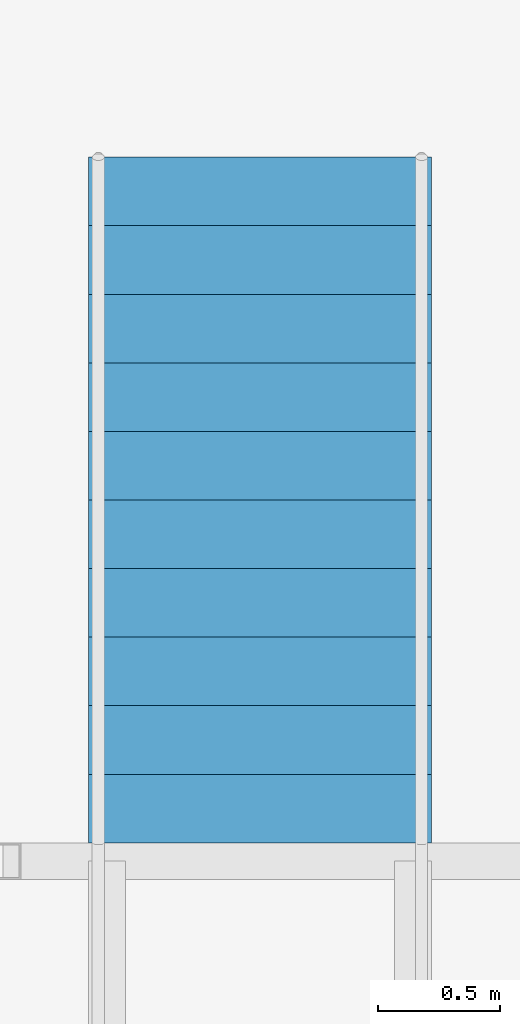
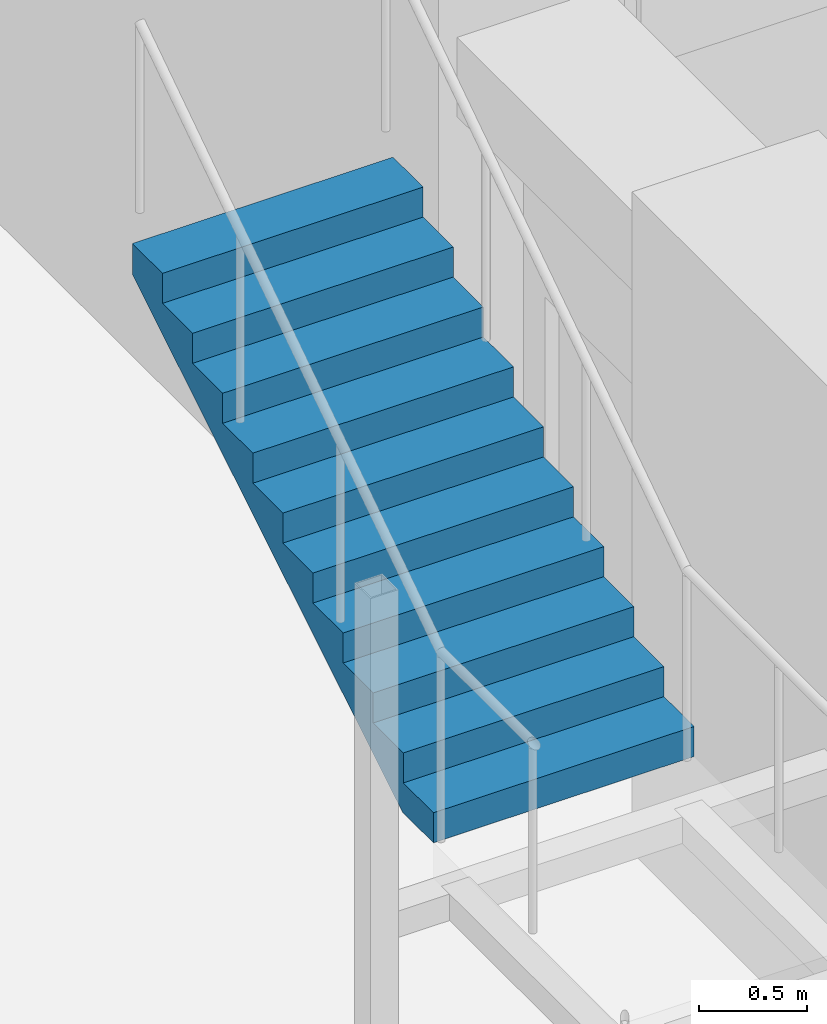
# One storey, part 27 of 28: 1 stair flight, 1 element without a shape of its own.
"""IFC4 building model written with IfcOpenShell, lengths in metres."""

from ifc_helpers import new_model, si_unit, direction, frame, origin, place, context, subcontext, project, spatial, triangles, material, type_object, element, aggregate, save


model = new_model("IFC4")

# Units and contexts
model_context = context("Model", 3, precision=1e-05, world=origin(), true_north=direction((0.0, 1.0)))
body_context = subcontext(model_context, "Body", "Model", "MODEL_VIEW")
ifc_project = project(units=[si_unit("LENGTHUNIT", "METRE"), si_unit("AREAUNIT", "SQUARE_METRE"), si_unit("VOLUMEUNIT", "CUBIC_METRE"), si_unit("PLANEANGLEUNIT", "RADIAN"), si_unit("MASSUNIT", "GRAM", prefix="KILO")], contexts=[model_context])

# Site, building, storey
site_placement = place(None, origin())
site = spatial("IfcSite", under=ifc_project, at=site_placement, CompositionType="ELEMENT")
building_placement = place(site_placement, origin())
building = spatial("IfcBuilding", under=site, at=building_placement, Name="Orbita Commons", CompositionType="ELEMENT")
storey_placement = place(building_placement, frame((0.0, 0.0, 38.949951171875)))
storey = spatial("IfcBuildingStorey", under=building, at=storey_placement, Name="L09", CompositionType="ELEMENT", Elevation=38.949951171875)

# Stair, stair flight
ifc_material_1 = material(Name="Steel ASTM A992 stringers, precast concrete C40/50 terrazzo treads", Category="concrete")
stair_type = type_object("IfcStairType", Name="Feature stair 22 risers 170 x 280 x 1400", PredefinedType="STRAIGHT_RUN_STAIR", material=ifc_material_1)
stair_placement = place(storey_placement, origin())
stair = element("IfcStair", 1, at=stair_placement, inside=storey, type_object=stair_type, Name="Neighbourhood stair L09 to L10", PredefinedType="STRAIGHT_RUN_STAIR")
ifc_material_2 = material(Name="Steel ASTM A992 stringers, precast concrete C40/50 terrazzo treads", Category="concrete")
stair_flight_type = type_object("IfcStairFlightType", Name="Feature stair flight 11 risers 170 x 1400", PredefinedType="STRAIGHT", material=ifc_material_2)
stair_flight_placement = place(storey_placement, frame((10.10009765625, 47.409912109375, 1.875), z_axis=(0.0, 0.0, 1.0), x_axis=(0.0, 1.0, 0.0)))
stair_flight = element("IfcStairFlight", 2, at=stair_flight_placement, type_object=stair_flight_type, Name="FS flight 2", NumberOfRisers=11, NumberOfTreads=10, PredefinedType="STRAIGHT", RiserHeight=0.170454545, TreadLength=0.28, context=body_context, shape_type="Tessellation", body=[
    triangles([(0.0, 0.699951, 0.0), (0.0, 0.699951, 0.021307), (0.0, 0.583293, 0.021307), (0.0, 0.583293, 0.0), (0.0, 0.466634, 0.021307), (0.0, 0.466634, 0.0), (0.0, 0.349976, 0.021307), (0.0, 0.349976, 0.0), (0.0, 0.233317, 0.021307), (0.0, 0.233317, 0.0), (0.0, 0.116659, 0.021307), (0.0, 0.116659, 0.0), (0.0, 0.0, 0.021307), (0.0, 0.0, 0.0), (0.0, -0.116659, 0.021307), (0.0, -0.116659, 0.0), (0.0, -0.233317, 0.021307), (0.0, -0.233317, 0.0), (0.0, -0.349976, 0.021307), (0.0, -0.349976, 0.0), (0.0, -0.466634, 0.021307), (0.0, -0.466634, 0.0), (0.0, -0.583293, 0.021307), (0.0, -0.583293, 0.0), (0.0, -0.699951, 0.021307), (0.0, -0.699951, 0.0), (0.0, 0.699951, 0.042614), (0.0, 0.583293, 0.042614), (0.0, 0.466634, 0.042614), (0.0, 0.349976, 0.042614), (0.0, 0.233317, 0.042614), (0.0, 0.116659, 0.042614), (0.0, 0.0, 0.042614), (0.0, -0.116659, 0.042614), (0.0, -0.233317, 0.042614), (0.0, -0.349976, 0.042614), (0.0, -0.466634, 0.042614), (0.0, -0.583293, 0.042614), (0.0, -0.699951, 0.042614), (0.0, 0.699951, 0.06392), (0.0, 0.583293, 0.06392), (0.0, 0.466634, 0.06392), (0.0, 0.349976, 0.06392), (0.0, 0.233317, 0.06392), (0.0, 0.116659, 0.06392), (0.0, 0.0, 0.06392), (0.0, -0.116659, 0.06392), (0.0, -0.233317, 0.06392), (0.0, -0.349976, 0.06392), (0.0, -0.466634, 0.06392), (0.0, -0.583293, 0.06392), (0.0, -0.699951, 0.06392), (0.0, 0.699951, 0.085227), (0.0, 0.583293, 0.085227), (0.0, 0.466634, 0.085227), (0.0, 0.349976, 0.085227), (0.0, 0.233317, 0.085227), (0.0, 0.116659, 0.085227), (0.0, 0.0, 0.085227), (0.0, -0.116659, 0.085227), (0.0, -0.233317, 0.085227), (0.0, -0.349976, 0.085227), (0.0, -0.466634, 0.085227), (0.0, -0.583293, 0.085227), (0.0, -0.699951, 0.085227), (0.0, 0.699951, 0.106534), (0.0, 0.583293, 0.106534), (0.0, 0.466634, 0.106534), (0.0, 0.349976, 0.106534), (0.0, 0.233317, 0.106534), (0.0, 0.116659, 0.106534), (0.0, 0.0, 0.106534), (0.0, -0.116659, 0.106534), (0.0, -0.233317, 0.106534), (0.0, -0.349976, 0.106534), (0.0, -0.466634, 0.106534), (0.0, -0.583293, 0.106534), (0.0, -0.699951, 0.106534), (0.0, 0.699951, 0.127841), (0.0, 0.583293, 0.127841), (0.0, 0.466634, 0.127841), (0.0, 0.349976, 0.127841), (0.0, 0.233317, 0.127841), (0.0, 0.116659, 0.127841), (0.0, 0.0, 0.127841), (0.0, -0.116659, 0.127841), (0.0, -0.233317, 0.127841), (0.0, -0.349976, 0.127841), (0.0, -0.466634, 0.127841), (0.0, -0.583293, 0.127841), (0.0, -0.699951, 0.127841), (0.0, 0.699951, 0.149148), (0.0, 0.583293, 0.149148), (0.0, 0.466634, 0.149148), (0.0, 0.349976, 0.149148), (0.0, 0.233317, 0.149148), (0.0, 0.116659, 0.149148), (0.0, 0.0, 0.149148), (0.0, -0.116659, 0.149148), (0.0, -0.233317, 0.149148), (0.0, -0.349976, 0.149148), (0.0, -0.466634, 0.149148), (0.0, -0.583293, 0.149148), (0.0, -0.699951, 0.149148), (0.0, 0.699951, 0.170455), (0.0, 0.583293, 0.170455), (0.0, 0.466634, 0.170455), (0.0, 0.349976, 0.170455), (0.0, 0.233317, 0.170455), (0.0, 0.116659, 0.170455), (0.0, 0.0, 0.170455), (0.0, -0.116659, 0.170455), (0.0, -0.233317, 0.170455), (0.0, -0.349976, 0.170455), (0.0, -0.466634, 0.170455), (0.0, -0.583293, 0.170455), (0.0, -0.699951, 0.170455), (0.28, 0.699951, 0.170455), (0.28, 0.583293, 0.170455), (0.28, 0.466634, 0.170455), (0.28, 0.349976, 0.170455), (0.28, 0.233317, 0.170455), (0.28, 0.116659, 0.170455), (0.28, 0.0, 0.170455), (0.28, -0.116659, 0.170455), (0.28, -0.233317, 0.170455), (0.28, -0.349976, 0.170455), (0.28, -0.466634, 0.170455), (0.28, -0.583293, 0.170455), (0.28, -0.699951, 0.170455), (0.28, 0.699951, 0.340909), (0.28, 0.583293, 0.340909), (0.28, 0.466634, 0.340909), (0.28, 0.349976, 0.340909), (0.28, 0.233317, 0.340909), (0.28, 0.116659, 0.340909), (0.28, 0.0, 0.340909), (0.28, -0.116659, 0.340909), (0.28, -0.233317, 0.340909), (0.28, -0.349976, 0.340909), (0.28, -0.466634, 0.340909), (0.28, -0.583293, 0.340909), (0.28, -0.699951, 0.340909), (0.56, 0.699951, 0.340909), (0.56, 0.583293, 0.340909), (0.56, 0.466634, 0.340909), (0.56, 0.349976, 0.340909), (0.56, 0.233317, 0.340909), (0.56, 0.116659, 0.340909), (0.56, 0.0, 0.340909), (0.56, -0.116659, 0.340909), (0.56, -0.233317, 0.340909), (0.56, -0.349976, 0.340909), (0.56, -0.466634, 0.340909), (0.56, -0.583293, 0.340909), (0.56, -0.699951, 0.340909), (0.56, 0.699951, 0.511364), (0.56, 0.583293, 0.511364), (0.56, 0.466634, 0.511364), (0.56, 0.349976, 0.511364), (0.56, 0.233317, 0.511364), (0.56, 0.116659, 0.511364), (0.56, 0.0, 0.511364), (0.56, -0.116659, 0.511364), (0.56, -0.233317, 0.511364), (0.56, -0.349976, 0.511364), (0.56, -0.466634, 0.511364), (0.56, -0.583293, 0.511364), (0.56, -0.699951, 0.511364), (0.84, 0.699951, 0.511364), (0.84, 0.583293, 0.511364), (0.84, 0.466634, 0.511364), (0.84, 0.349976, 0.511364), (0.84, 0.233317, 0.511364), (0.84, 0.116659, 0.511364), (0.84, 0.0, 0.511364), (0.84, -0.116659, 0.511364), (0.84, -0.233317, 0.511364), (0.84, -0.349976, 0.511364), (0.84, -0.466634, 0.511364), (0.84, -0.583293, 0.511364), (0.84, -0.699951, 0.511364), (0.84, 0.699951, 0.681818), (0.84, 0.583293, 0.681818), (0.84, 0.466634, 0.681818), (0.84, 0.349976, 0.681818), (0.84, 0.233317, 0.681818), (0.84, 0.116659, 0.681818), (0.84, 0.0, 0.681818), (0.84, -0.116659, 0.681818), (0.84, -0.233317, 0.681818), (0.84, -0.349976, 0.681818), (0.84, -0.466634, 0.681818), (0.84, -0.583293, 0.681818), (0.84, -0.699951, 0.681818), (1.12, 0.699951, 0.681818), (1.12, 0.583293, 0.681818), (1.12, 0.466634, 0.681818), (1.12, 0.349976, 0.681818), (1.12, 0.233317, 0.681818), (1.12, 0.116659, 0.681818), (1.12, 0.0, 0.681818), (1.12, -0.116659, 0.681818), (1.12, -0.233317, 0.681818), (1.12, -0.349976, 0.681818), (1.12, -0.466634, 0.681818), (1.12, -0.583293, 0.681818), (1.12, -0.699951, 0.681818), (1.12, 0.699951, 0.852273), (1.12, 0.583293, 0.852273), (1.12, 0.466634, 0.852273), (1.12, 0.349976, 0.852273), (1.12, 0.233317, 0.852273), (1.12, 0.116659, 0.852273), (1.12, 0.0, 0.852273), (1.12, -0.116659, 0.852273), (1.12, -0.233317, 0.852273), (1.12, -0.349976, 0.852273), (1.12, -0.466634, 0.852273), (1.12, -0.583293, 0.852273), (1.12, -0.699951, 0.852273), (1.4, 0.699951, 0.852273), (1.4, 0.583293, 0.852273), (1.4, 0.466634, 0.852273), (1.4, 0.349976, 0.852273), (1.4, 0.233317, 0.852273), (1.4, 0.116659, 0.852273), (1.4, 0.0, 0.852273), (1.4, -0.116659, 0.852273), (1.4, -0.233317, 0.852273), (1.4, -0.349976, 0.852273), (1.4, -0.466634, 0.852273), (1.4, -0.583293, 0.852273), (1.4, -0.699951, 0.852273), (1.4, 0.699951, 1.022727), (1.4, 0.583293, 1.022727), (1.4, 0.466634, 1.022727), (1.4, 0.349976, 1.022727), (1.4, 0.233317, 1.022727), (1.4, 0.116659, 1.022727), (1.4, 0.0, 1.022727), (1.4, -0.116659, 1.022727), (1.4, -0.233317, 1.022727), (1.4, -0.349976, 1.022727), (1.4, -0.466634, 1.022727), (1.4, -0.583293, 1.022727), (1.4, -0.699951, 1.022727), (1.68, 0.699951, 1.022727), (1.68, 0.583293, 1.022727), (1.68, 0.466634, 1.022727), (1.68, 0.349976, 1.022727), (1.68, 0.233317, 1.022727), (1.68, 0.116659, 1.022727), (1.68, 0.0, 1.022727), (1.68, -0.116659, 1.022727), (1.68, -0.233317, 1.022727), (1.68, -0.349976, 1.022727), (1.68, -0.466634, 1.022727), (1.68, -0.583293, 1.022727), (1.68, -0.699951, 1.022727), (1.68, 0.699951, 1.193182), (1.68, 0.583293, 1.193182), (1.68, 0.466634, 1.193182), (1.68, 0.349976, 1.193182), (1.68, 0.233317, 1.193182), (1.68, 0.116659, 1.193182), (1.68, 0.0, 1.193182), (1.68, -0.116659, 1.193182), (1.68, -0.233317, 1.193182), (1.68, -0.349976, 1.193182), (1.68, -0.466634, 1.193182), (1.68, -0.583293, 1.193182), (1.68, -0.699951, 1.193182), (1.96, 0.699951, 1.193182), (1.96, 0.583293, 1.193182), (1.96, 0.466634, 1.193182), (1.96, 0.349976, 1.193182), (1.96, 0.233317, 1.193182), (1.96, 0.116659, 1.193182), (1.96, 0.0, 1.193182), (1.96, -0.116659, 1.193182), (1.96, -0.233317, 1.193182), (1.96, -0.349976, 1.193182), (1.96, -0.466634, 1.193182), (1.96, -0.583293, 1.193182), (1.96, -0.699951, 1.193182), (1.96, 0.699951, 1.363636), (1.96, 0.583293, 1.363636), (1.96, 0.466634, 1.363636), (1.96, 0.349976, 1.363636), (1.96, 0.233317, 1.363636), (1.96, 0.116659, 1.363636), (1.96, 0.0, 1.363636), (1.96, -0.116659, 1.363636), (1.96, -0.233317, 1.363636), (1.96, -0.349976, 1.363636), (1.96, -0.466634, 1.363636), (1.96, -0.583293, 1.363636), (1.96, -0.699951, 1.363636), (2.24, 0.699951, 1.363636), (2.24, 0.583293, 1.363636), (2.24, 0.466634, 1.363636), (2.24, 0.349976, 1.363636), (2.24, 0.233317, 1.363636), (2.24, 0.116659, 1.363636), (2.24, 0.0, 1.363636), (2.24, -0.116659, 1.363636), (2.24, -0.233317, 1.363636), (2.24, -0.349976, 1.363636), (2.24, -0.466634, 1.363636), (2.24, -0.583293, 1.363636), (2.24, -0.699951, 1.363636), (2.24, 0.699951, 1.534091), (2.24, 0.583293, 1.534091), (2.24, 0.466634, 1.534091), (2.24, 0.349976, 1.534091), (2.24, 0.233317, 1.534091), (2.24, 0.116659, 1.534091), (2.24, 0.0, 1.534091), (2.24, -0.116659, 1.534091), (2.24, -0.233317, 1.534091), (2.24, -0.349976, 1.534091), (2.24, -0.466634, 1.534091), (2.24, -0.583293, 1.534091), (2.24, -0.699951, 1.534091), (2.52, 0.699951, 1.534091), (2.52, 0.583293, 1.534091), (2.52, 0.466634, 1.534091), (2.52, 0.349976, 1.534091), (2.52, 0.233317, 1.534091), (2.52, 0.116659, 1.534091), (2.52, 0.0, 1.534091), (2.52, -0.116659, 1.534091), (2.52, -0.233317, 1.534091), (2.52, -0.349976, 1.534091), (2.52, -0.466634, 1.534091), (2.52, -0.583293, 1.534091), (2.52, -0.699951, 1.534091), (2.52, 0.699951, 1.704545), (2.52, 0.583293, 1.704545), (2.52, 0.466634, 1.704545), (2.52, 0.349976, 1.704545), (2.52, 0.233317, 1.704545), (2.52, 0.116659, 1.704545), (2.52, 0.0, 1.704545), (2.52, -0.116659, 1.704545), (2.52, -0.233317, 1.704545), (2.52, -0.349976, 1.704545), (2.52, -0.466634, 1.704545), (2.52, -0.583293, 1.704545), (2.52, -0.699951, 1.704545), (2.8, 0.699951, 1.704545), (2.8, 0.583293, 1.704545), (2.8, 0.466634, 1.704545), (2.8, 0.349976, 1.704545), (2.8, 0.233317, 1.704545), (2.8, 0.116659, 1.704545), (2.8, 0.0, 1.704545), (2.8, -0.116659, 1.704545), (2.8, -0.233317, 1.704545), (2.8, -0.349976, 1.704545), (2.8, -0.466634, 1.704545), (2.8, -0.583293, 1.704545), (2.8, -0.699951, 1.704545), (2.8, 0.699951, 1.682609), (2.8, 0.583293, 1.682609), (2.8, 0.466634, 1.682609), (2.8, 0.349976, 1.682609), (2.8, 0.233317, 1.682609), (2.8, 0.116659, 1.682609), (2.8, 0.0, 1.682609), (2.8, -0.116659, 1.682609), (2.8, -0.233317, 1.682609), (2.8, -0.349976, 1.682609), (2.8, -0.466634, 1.682609), (2.8, -0.583293, 1.682609), (2.8, -0.699951, 1.682609), (2.8, 0.699951, 1.660672), (2.8, 0.583293, 1.660672), (2.8, 0.466634, 1.660672), (2.8, 0.349976, 1.660672), (2.8, 0.233317, 1.660672), (2.8, 0.116659, 1.660672), (2.8, 0.0, 1.660672), (2.8, -0.116659, 1.660672), (2.8, -0.233317, 1.660672), (2.8, -0.349976, 1.660672), (2.8, -0.466634, 1.660672), (2.8, -0.583293, 1.660672), (2.8, -0.699951, 1.660672), (2.8, 0.699951, 1.638735), (2.8, 0.583293, 1.638735), (2.8, 0.466634, 1.638735), (2.8, 0.349976, 1.638735), (2.8, 0.233317, 1.638735), (2.8, 0.116659, 1.638735), (2.8, 0.0, 1.638735), (2.8, -0.116659, 1.638735), (2.8, -0.233317, 1.638735), (2.8, -0.349976, 1.638735), (2.8, -0.466634, 1.638735), (2.8, -0.583293, 1.638735), (2.8, -0.699951, 1.638735), (2.8, 0.699951, 1.616798), (2.8, 0.583293, 1.616798), (2.8, 0.466634, 1.616798), (2.8, 0.349976, 1.616798), (2.8, 0.233317, 1.616798), (2.8, 0.116659, 1.616798), (2.8, 0.0, 1.616798), (2.8, -0.116659, 1.616798), (2.8, -0.233317, 1.616798), (2.8, -0.349976, 1.616798), (2.8, -0.466634, 1.616798), (2.8, -0.583293, 1.616798), (2.8, -0.699951, 1.616798), (2.8, 0.699951, 1.594861), (2.8, 0.583293, 1.594861), (2.8, 0.466634, 1.594861), (2.8, 0.349976, 1.594861), (2.8, 0.233317, 1.594861), (2.8, 0.116659, 1.594861), (2.8, 0.0, 1.594861), (2.8, -0.116659, 1.594861), (2.8, -0.233317, 1.594861), (2.8, -0.349976, 1.594861), (2.8, -0.466634, 1.594861), (2.8, -0.583293, 1.594861), (2.8, -0.699951, 1.594861), (2.8, 0.699951, 1.572925), (2.8, 0.583293, 1.572925), (2.8, 0.466634, 1.572925), (2.8, 0.349976, 1.572925), (2.8, 0.233317, 1.572925), (2.8, 0.116659, 1.572925), (2.8, 0.0, 1.572925), (2.8, -0.116659, 1.572925), (2.8, -0.233317, 1.572925), (2.8, -0.349976, 1.572925), (2.8, -0.466634, 1.572925), (2.8, -0.583293, 1.572925), (2.8, -0.699951, 1.572925), (2.8, 0.699951, 1.550988), (2.8, 0.583293, 1.550988), (2.8, 0.466634, 1.550988), (2.8, 0.349976, 1.550988), (2.8, 0.233317, 1.550988), (2.8, 0.116659, 1.550988), (2.8, 0.0, 1.550988), (2.8, -0.116659, 1.550988), (2.8, -0.233317, 1.550988), (2.8, -0.349976, 1.550988), (2.8, -0.466634, 1.550988), (2.8, -0.583293, 1.550988), (2.8, -0.699951, 1.550988), (2.8, 0.699951, 1.529051), (2.8, 0.583293, 1.529051), (2.8, 0.466634, 1.529051), (2.8, 0.349976, 1.529051), (2.8, 0.233317, 1.529051), (2.8, 0.116659, 1.529051), (2.8, 0.0, 1.529051), (2.8, -0.116659, 1.529051), (2.8, -0.233317, 1.529051), (2.8, -0.349976, 1.529051), (2.8, -0.466634, 1.529051), (2.8, -0.583293, 1.529051), (2.8, -0.699951, 1.529051), (0.288279, 0.699951, 0.0), (0.288279, 0.583293, 0.0), (0.288279, 0.466634, 0.0), (0.288279, 0.349976, 0.0), (0.288279, 0.233317, 0.0), (0.288279, 0.116659, 0.0), (0.288279, 0.0, 0.0), (0.288279, -0.116659, 0.0), (0.288279, -0.233317, 0.0), (0.288279, -0.349976, 0.0), (0.288279, -0.466634, 0.0), (0.288279, -0.583293, 0.0), (0.288279, -0.699951, 0.0)], [[3, 2, 1], [4, 3, 1], [5, 3, 4], [6, 5, 4], [7, 5, 6], [8, 7, 6], [9, 7, 8], [10, 9, 8], [11, 9, 10], [12, 11, 10], [13, 11, 12], [14, 13, 12], [15, 13, 14], [16, 15, 14], [17, 15, 16], [18, 17, 16], [19, 17, 18], [20, 19, 18], [21, 19, 20], [22, 21, 20], [23, 21, 22], [24, 23, 22], [25, 23, 24], [26, 25, 24], [28, 27, 2], [3, 28, 2], [29, 28, 3], [5, 29, 3], [30, 29, 5], [7, 30, 5], [31, 30, 7], [9, 31, 7], [32, 31, 9], [11, 32, 9], [33, 32, 11], [13, 33, 11], [34, 33, 13], [15, 34, 13], [35, 34, 15], [17, 35, 15], [36, 35, 17], [19, 36, 17], [37, 36, 19], [21, 37, 19], [38, 37, 21], [23, 38, 21], [39, 38, 23], [25, 39, 23], [41, 40, 27], [28, 41, 27], [42, 41, 28], [29, 42, 28], [43, 42, 29], [30, 43, 29], [44, 43, 30], [31, 44, 30], [45, 44, 31], [32, 45, 31], [46, 45, 32], [33, 46, 32], [47, 46, 33], [34, 47, 33], [48, 47, 34], [35, 48, 34], [49, 48, 35], [36, 49, 35], [50, 49, 36], [37, 50, 36], [51, 50, 37], [38, 51, 37], [52, 51, 38], [39, 52, 38], [54, 53, 40], [41, 54, 40], [55, 54, 41], [42, 55, 41], [56, 55, 42], [43, 56, 42], [57, 56, 43], [44, 57, 43], [58, 57, 44], [45, 58, 44], [59, 58, 45], [46, 59, 45], [60, 59, 46], [47, 60, 46], [61, 60, 47], [48, 61, 47], [62, 61, 48], [49, 62, 48], [63, 62, 49], [50, 63, 49], [64, 63, 50], [51, 64, 50], [65, 64, 51], [52, 65, 51], [67, 66, 53], [54, 67, 53], [68, 67, 54], [55, 68, 54], [69, 68, 55], [56, 69, 55], [70, 69, 56], [57, 70, 56], [71, 70, 57], [58, 71, 57], [72, 71, 58], [59, 72, 58], [73, 72, 59], [60, 73, 59], [74, 73, 60], [61, 74, 60], [75, 74, 61], [62, 75, 61], [76, 75, 62], [63, 76, 62], [77, 76, 63], [64, 77, 63], [78, 77, 64], [65, 78, 64], [80, 79, 66], [67, 80, 66], [81, 80, 67], [68, 81, 67], [82, 81, 68], [69, 82, 68], [83, 82, 69], [70, 83, 69], [84, 83, 70], [71, 84, 70], [85, 84, 71], [72, 85, 71], [86, 85, 72], [73, 86, 72], [87, 86, 73], [74, 87, 73], [88, 87, 74], [75, 88, 74], [89, 88, 75], [76, 89, 75], [90, 89, 76], [77, 90, 76], [91, 90, 77], [78, 91, 77], [93, 92, 79], [80, 93, 79], [94, 93, 80], [81, 94, 80], [95, 94, 81], [82, 95, 81], [96, 95, 82], [83, 96, 82], [97, 96, 83], [84, 97, 83], [98, 97, 84], [85, 98, 84], [99, 98, 85], [86, 99, 85], [100, 99, 86], [87, 100, 86], [101, 100, 87], [88, 101, 87], [102, 101, 88], [89, 102, 88], [103, 102, 89], [90, 103, 89], [104, 103, 90], [91, 104, 90], [106, 105, 92], [93, 106, 92], [107, 106, 93], [94, 107, 93], [108, 107, 94], [95, 108, 94], [109, 108, 95], [96, 109, 95], [110, 109, 96], [97, 110, 96], [111, 110, 97], [98, 111, 97], [112, 111, 98], [99, 112, 98], [113, 112, 99], [100, 113, 99], [114, 113, 100], [101, 114, 100], [115, 114, 101], [102, 115, 101], [116, 115, 102], [103, 116, 102], [117, 116, 103], [104, 117, 103], [119, 118, 105], [106, 119, 105], [120, 119, 106], [107, 120, 106], [121, 120, 107], [108, 121, 107], [122, 121, 108], [109, 122, 108], [123, 122, 109], [110, 123, 109], [124, 123, 110], [111, 124, 110], [125, 124, 111], [112, 125, 111], [126, 125, 112], [113, 126, 112], [127, 126, 113], [114, 127, 113], [128, 127, 114], [115, 128, 114], [129, 128, 115], [116, 129, 115], [130, 129, 116], [117, 130, 116], [132, 131, 118], [119, 132, 118], [133, 132, 119], [120, 133, 119], [134, 133, 120], [121, 134, 120], [135, 134, 121], [122, 135, 121], [136, 135, 122], [123, 136, 122], [137, 136, 123], [124, 137, 123], [138, 137, 124], [125, 138, 124], [139, 138, 125], [126, 139, 125], [140, 139, 126], [127, 140, 126], [141, 140, 127], [128, 141, 127], [142, 141, 128], [129, 142, 128], [143, 142, 129], [130, 143, 129], [145, 144, 131], [132, 145, 131], [146, 145, 132], [133, 146, 132], [147, 146, 133], [134, 147, 133], [148, 147, 134], [135, 148, 134], [149, 148, 135], [136, 149, 135], [150, 149, 136], [137, 150, 136], [151, 150, 137], [138, 151, 137], [152, 151, 138], [139, 152, 138], [153, 152, 139], [140, 153, 139], [154, 153, 140], [141, 154, 140], [155, 154, 141], [142, 155, 141], [156, 155, 142], [143, 156, 142], [158, 157, 144], [145, 158, 144], [159, 158, 145], [146, 159, 145], [160, 159, 146], [147, 160, 146], [161, 160, 147], [148, 161, 147], [162, 161, 148], [149, 162, 148], [163, 162, 149], [150, 163, 149], [164, 163, 150], [151, 164, 150], [165, 164, 151], [152, 165, 151], [166, 165, 152], [153, 166, 152], [167, 166, 153], [154, 167, 153], [168, 167, 154], [155, 168, 154], [169, 168, 155], [156, 169, 155], [171, 170, 157], [158, 171, 157], [172, 171, 158], [159, 172, 158], [173, 172, 159], [160, 173, 159], [174, 173, 160], [161, 174, 160], [175, 174, 161], [162, 175, 161], [176, 175, 162], [163, 176, 162], [177, 176, 163], [164, 177, 163], [178, 177, 164], [165, 178, 164], [179, 178, 165], [166, 179, 165], [180, 179, 166], [167, 180, 166], [181, 180, 167], [168, 181, 167], [182, 181, 168], [169, 182, 168], [184, 183, 170], [171, 184, 170], [185, 184, 171], [172, 185, 171], [186, 185, 172], [173, 186, 172], [187, 186, 173], [174, 187, 173], [188, 187, 174], [175, 188, 174], [189, 188, 175], [176, 189, 175], [190, 189, 176], [177, 190, 176], [191, 190, 177], [178, 191, 177], [192, 191, 178], [179, 192, 178], [193, 192, 179], [180, 193, 179], [194, 193, 180], [181, 194, 180], [195, 194, 181], [182, 195, 181], [197, 196, 183], [184, 197, 183], [198, 197, 184], [185, 198, 184], [199, 198, 185], [186, 199, 185], [200, 199, 186], [187, 200, 186], [201, 200, 187], [188, 201, 187], [202, 201, 188], [189, 202, 188], [203, 202, 189], [190, 203, 189], [204, 203, 190], [191, 204, 190], [205, 204, 191], [192, 205, 191], [206, 205, 192], [193, 206, 192], [207, 206, 193], [194, 207, 193], [208, 207, 194], [195, 208, 194], [210, 209, 196], [197, 210, 196], [211, 210, 197], [198, 211, 197], [212, 211, 198], [199, 212, 198], [213, 212, 199], [200, 213, 199], [214, 213, 200], [201, 214, 200], [215, 214, 201], [202, 215, 201], [216, 215, 202], [203, 216, 202], [217, 216, 203], [204, 217, 203], [218, 217, 204], [205, 218, 204], [219, 218, 205], [206, 219, 205], [220, 219, 206], [207, 220, 206], [221, 220, 207], [208, 221, 207], [223, 222, 209], [210, 223, 209], [224, 223, 210], [211, 224, 210], [225, 224, 211], [212, 225, 211], [226, 225, 212], [213, 226, 212], [227, 226, 213], [214, 227, 213], [228, 227, 214], [215, 228, 214], [229, 228, 215], [216, 229, 215], [230, 229, 216], [217, 230, 216], [231, 230, 217], [218, 231, 217], [232, 231, 218], [219, 232, 218], [233, 232, 219], [220, 233, 219], [234, 233, 220], [221, 234, 220], [236, 235, 222], [223, 236, 222], [237, 236, 223], [224, 237, 223], [238, 237, 224], [225, 238, 224], [239, 238, 225], [226, 239, 225], [240, 239, 226], [227, 240, 226], [241, 240, 227], [228, 241, 227], [242, 241, 228], [229, 242, 228], [243, 242, 229], [230, 243, 229], [244, 243, 230], [231, 244, 230], [245, 244, 231], [232, 245, 231], [246, 245, 232], [233, 246, 232], [247, 246, 233], [234, 247, 233], [249, 248, 235], [236, 249, 235], [250, 249, 236], [237, 250, 236], [251, 250, 237], [238, 251, 237], [252, 251, 238], [239, 252, 238], [253, 252, 239], [240, 253, 239], [254, 253, 240], [241, 254, 240], [255, 254, 241], [242, 255, 241], [256, 255, 242], [243, 256, 242], [257, 256, 243], [244, 257, 243], [258, 257, 244], [245, 258, 244], [259, 258, 245], [246, 259, 245], [260, 259, 246], [247, 260, 246], [262, 261, 248], [249, 262, 248], [263, 262, 249], [250, 263, 249], [264, 263, 250], [251, 264, 250], [265, 264, 251], [252, 265, 251], [266, 265, 252], [253, 266, 252], [267, 266, 253], [254, 267, 253], [268, 267, 254], [255, 268, 254], [269, 268, 255], [256, 269, 255], [270, 269, 256], [257, 270, 256], [271, 270, 257], [258, 271, 257], [272, 271, 258], [259, 272, 258], [273, 272, 259], [260, 273, 259], [275, 274, 261], [262, 275, 261], [276, 275, 262], [263, 276, 262], [277, 276, 263], [264, 277, 263], [278, 277, 264], [265, 278, 264], [279, 278, 265], [266, 279, 265], [280, 279, 266], [267, 280, 266], [281, 280, 267], [268, 281, 267], [282, 281, 268], [269, 282, 268], [283, 282, 269], [270, 283, 269], [284, 283, 270], [271, 284, 270], [285, 284, 271], [272, 285, 271], [286, 285, 272], [273, 286, 272], [288, 287, 274], [275, 288, 274], [289, 288, 275], [276, 289, 275], [290, 289, 276], [277, 290, 276], [291, 290, 277], [278, 291, 277], [292, 291, 278], [279, 292, 278], [293, 292, 279], [280, 293, 279], [294, 293, 280], [281, 294, 280], [295, 294, 281], [282, 295, 281], [296, 295, 282], [283, 296, 282], [297, 296, 283], [284, 297, 283], [298, 297, 284], [285, 298, 284], [299, 298, 285], [286, 299, 285], [301, 300, 287], [288, 301, 287], [302, 301, 288], [289, 302, 288], [303, 302, 289], [290, 303, 289], [304, 303, 290], [291, 304, 290], [305, 304, 291], [292, 305, 291], [306, 305, 292], [293, 306, 292], [307, 306, 293], [294, 307, 293], [308, 307, 294], [295, 308, 294], [309, 308, 295], [296, 309, 295], [310, 309, 296], [297, 310, 296], [311, 310, 297], [298, 311, 297], [312, 311, 298], [299, 312, 298], [314, 313, 300], [301, 314, 300], [315, 314, 301], [302, 315, 301], [316, 315, 302], [303, 316, 302], [317, 316, 303], [304, 317, 303], [318, 317, 304], [305, 318, 304], [319, 318, 305], [306, 319, 305], [320, 319, 306], [307, 320, 306], [321, 320, 307], [308, 321, 307], [322, 321, 308], [309, 322, 308], [323, 322, 309], [310, 323, 309], [324, 323, 310], [311, 324, 310], [325, 324, 311], [312, 325, 311], [327, 326, 313], [314, 327, 313], [328, 327, 314], [315, 328, 314], [329, 328, 315], [316, 329, 315], [330, 329, 316], [317, 330, 316], [331, 330, 317], [318, 331, 317], [332, 331, 318], [319, 332, 318], [333, 332, 319], [320, 333, 319], [334, 333, 320], [321, 334, 320], [335, 334, 321], [322, 335, 321], [336, 335, 322], [323, 336, 322], [337, 336, 323], [324, 337, 323], [338, 337, 324], [325, 338, 324], [340, 339, 326], [327, 340, 326], [341, 340, 327], [328, 341, 327], [342, 341, 328], [329, 342, 328], [343, 342, 329], [330, 343, 329], [344, 343, 330], [331, 344, 330], [345, 344, 331], [332, 345, 331], [346, 345, 332], [333, 346, 332], [347, 346, 333], [334, 347, 333], [348, 347, 334], [335, 348, 334], [349, 348, 335], [336, 349, 335], [350, 349, 336], [337, 350, 336], [351, 350, 337], [338, 351, 337], [353, 352, 339], [340, 353, 339], [354, 353, 340], [341, 354, 340], [355, 354, 341], [342, 355, 341], [356, 355, 342], [343, 356, 342], [357, 356, 343], [344, 357, 343], [358, 357, 344], [345, 358, 344], [359, 358, 345], [346, 359, 345], [360, 359, 346], [347, 360, 346], [361, 360, 347], [348, 361, 347], [362, 361, 348], [349, 362, 348], [363, 362, 349], [350, 363, 349], [364, 363, 350], [351, 364, 350], [366, 365, 352], [353, 366, 352], [367, 366, 353], [354, 367, 353], [368, 367, 354], [355, 368, 354], [369, 368, 355], [356, 369, 355], [370, 369, 356], [357, 370, 356], [371, 370, 357], [358, 371, 357], [372, 371, 358], [359, 372, 358], [373, 372, 359], [360, 373, 359], [374, 373, 360], [361, 374, 360], [375, 374, 361], [362, 375, 361], [376, 375, 362], [363, 376, 362], [377, 376, 363], [364, 377, 363], [379, 378, 365], [366, 379, 365], [380, 379, 366], [367, 380, 366], [381, 380, 367], [368, 381, 367], [382, 381, 368], [369, 382, 368], [383, 382, 369], [370, 383, 369], [384, 383, 370], [371, 384, 370], [385, 384, 371], [372, 385, 371], [386, 385, 372], [373, 386, 372], [387, 386, 373], [374, 387, 373], [388, 387, 374], [375, 388, 374], [389, 388, 375], [376, 389, 375], [390, 389, 376], [377, 390, 376], [392, 391, 378], [379, 392, 378], [393, 392, 379], [380, 393, 379], [394, 393, 380], [381, 394, 380], [395, 394, 381], [382, 395, 381], [396, 395, 382], [383, 396, 382], [397, 396, 383], [384, 397, 383], [398, 397, 384], [385, 398, 384], [399, 398, 385], [386, 399, 385], [400, 399, 386], [387, 400, 386], [401, 400, 387], [388, 401, 387], [402, 401, 388], [389, 402, 388], [403, 402, 389], [390, 403, 389], [405, 404, 391], [392, 405, 391], [406, 405, 392], [393, 406, 392], [407, 406, 393], [394, 407, 393], [408, 407, 394], [395, 408, 394], [409, 408, 395], [396, 409, 395], [410, 409, 396], [397, 410, 396], [411, 410, 397], [398, 411, 397], [412, 411, 398], [399, 412, 398], [413, 412, 399], [400, 413, 399], [414, 413, 400], [401, 414, 400], [415, 414, 401], [402, 415, 401], [416, 415, 402], [403, 416, 402], [418, 417, 404], [405, 418, 404], [419, 418, 405], [406, 419, 405], [420, 419, 406], [407, 420, 406], [421, 420, 407], [408, 421, 407], [422, 421, 408], [409, 422, 408], [423, 422, 409], [410, 423, 409], [424, 423, 410], [411, 424, 410], [425, 424, 411], [412, 425, 411], [426, 425, 412], [413, 426, 412], [427, 426, 413], [414, 427, 413], [428, 427, 414], [415, 428, 414], [429, 428, 415], [416, 429, 415], [431, 430, 417], [418, 431, 417], [432, 431, 418], [419, 432, 418], [433, 432, 419], [420, 433, 419], [434, 433, 420], [421, 434, 420], [435, 434, 421], [422, 435, 421], [436, 435, 422], [423, 436, 422], [437, 436, 423], [424, 437, 423], [438, 437, 424], [425, 438, 424], [439, 438, 425], [426, 439, 425], [440, 439, 426], [427, 440, 426], [441, 440, 427], [428, 441, 427], [442, 441, 428], [429, 442, 428], [444, 443, 430], [431, 444, 430], [445, 444, 431], [432, 445, 431], [446, 445, 432], [433, 446, 432], [447, 446, 433], [434, 447, 433], [448, 447, 434], [435, 448, 434], [449, 448, 435], [436, 449, 435], [450, 449, 436], [437, 450, 436], [451, 450, 437], [438, 451, 437], [452, 451, 438], [439, 452, 438], [453, 452, 439], [440, 453, 439], [454, 453, 440], [441, 454, 440], [455, 454, 441], [442, 455, 441], [457, 456, 443], [444, 457, 443], [458, 457, 444], [445, 458, 444], [459, 458, 445], [446, 459, 445], [460, 459, 446], [447, 460, 446], [461, 460, 447], [448, 461, 447], [462, 461, 448], [449, 462, 448], [463, 462, 449], [450, 463, 449], [464, 463, 450], [451, 464, 450], [465, 464, 451], [452, 465, 451], [466, 465, 452], [453, 466, 452], [467, 466, 453], [454, 467, 453], [468, 467, 454], [455, 468, 454], [470, 469, 456], [457, 470, 456], [471, 470, 457], [458, 471, 457], [472, 471, 458], [459, 472, 458], [473, 472, 459], [460, 473, 459], [474, 473, 460], [461, 474, 460], [475, 474, 461], [462, 475, 461], [476, 475, 462], [463, 476, 462], [477, 476, 463], [464, 477, 463], [478, 477, 464], [465, 478, 464], [479, 478, 465], [466, 479, 465], [480, 479, 466], [467, 480, 466], [481, 480, 467], [468, 481, 467], [4, 1, 469], [470, 4, 469], [6, 4, 470], [471, 6, 470], [8, 6, 471], [472, 8, 471], [10, 8, 472], [473, 10, 472], [12, 10, 473], [474, 12, 473], [14, 12, 474], [475, 14, 474], [16, 14, 475], [476, 16, 475], [18, 16, 476], [477, 18, 476], [20, 18, 477], [478, 20, 477], [22, 20, 478], [479, 22, 478], [24, 22, 479], [480, 24, 479], [26, 24, 480], [481, 26, 480], [456, 469, 1], [26, 481, 468], [443, 456, 1], [26, 468, 455], [430, 443, 1], [26, 455, 442], [417, 430, 1], [26, 442, 429], [404, 417, 1], [26, 429, 416], [391, 404, 1], [26, 416, 403], [378, 391, 1], [26, 403, 390], [365, 378, 1], [26, 390, 377], [339, 352, 365], [377, 364, 351], [326, 339, 365], [377, 351, 338], [300, 313, 326], [338, 325, 312], [300, 326, 365], [377, 338, 312], [274, 287, 300], [312, 299, 286], [274, 300, 365], [377, 312, 286], [248, 261, 274], [286, 273, 260], [248, 274, 365], [377, 286, 260], [222, 235, 248], [260, 247, 234], [222, 248, 365], [377, 260, 234], [196, 209, 222], [234, 221, 208], [196, 222, 365], [377, 234, 208], [170, 183, 196], [208, 195, 182], [170, 196, 365], [377, 208, 182], [144, 157, 170], [182, 169, 156], [144, 170, 365], [377, 182, 156], [118, 131, 144], [156, 143, 130], [118, 144, 365], [377, 156, 130], [118, 365, 1], [26, 377, 130], [92, 105, 118], [130, 117, 104], [79, 92, 118], [130, 104, 91], [66, 79, 118], [130, 91, 78], [53, 66, 118], [130, 78, 65], [40, 53, 118], [130, 65, 52], [27, 40, 118], [130, 52, 39], [2, 27, 118], [130, 39, 25], [1, 2, 118], [130, 25, 26]], closed=True),
])
aggregate(stair, [stair_flight])

save(model, "model.ifc")
